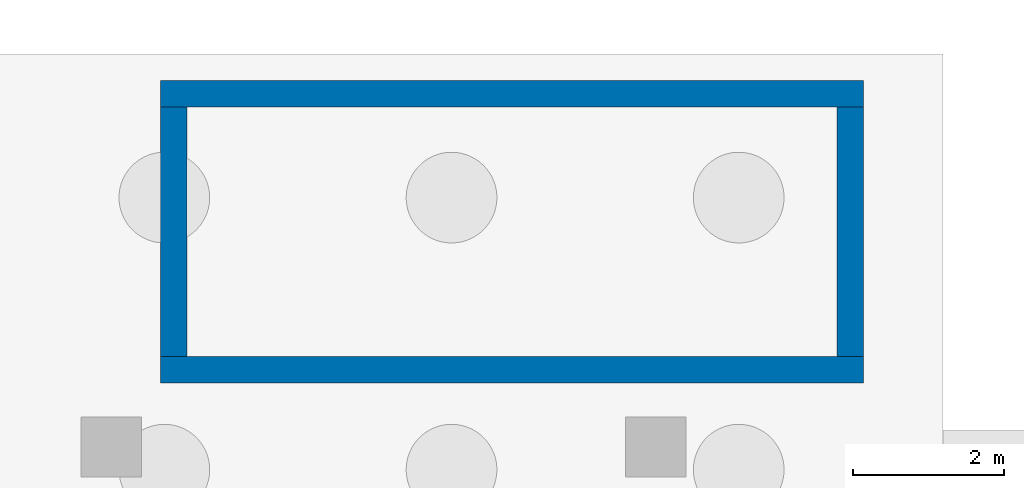
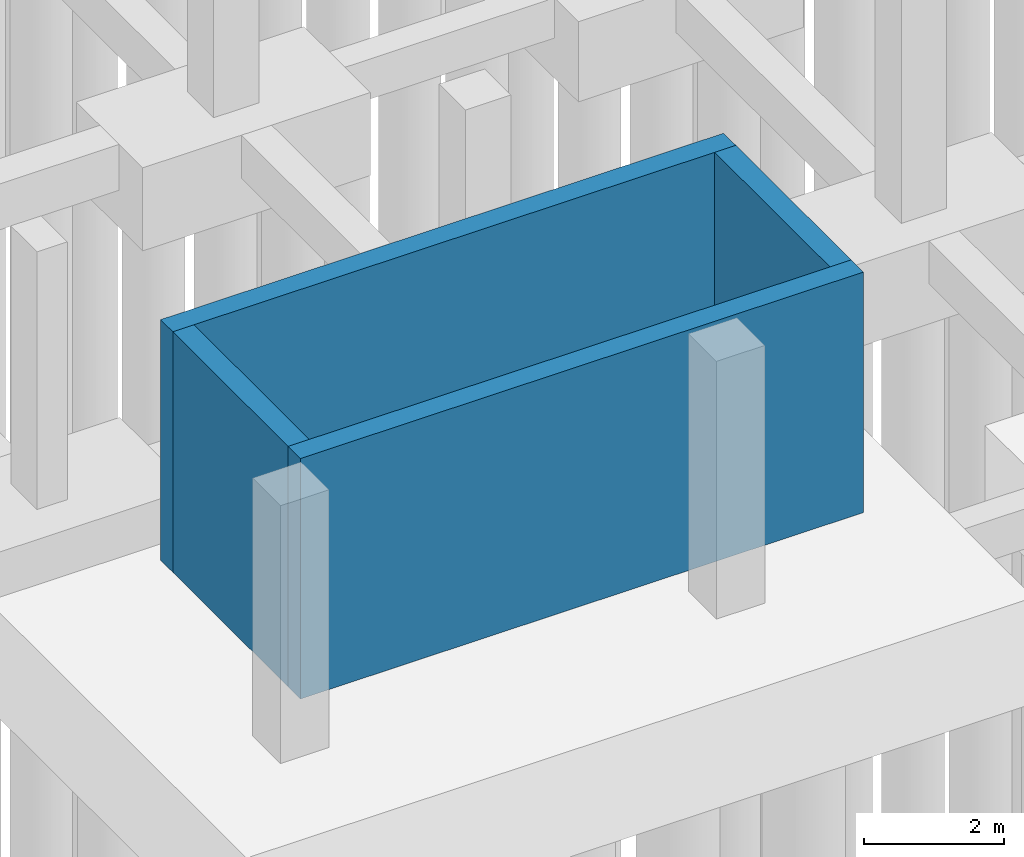
# One storey, part 30 of 36: 4 walls.
"""IFC4 building model written with IfcOpenShell, lengths in metres."""

from ifc_helpers import new_model, si_unit, direction, frame, frame_2d, origin, place, context, subcontext, project, spatial, rectangle, extrude, material, layer, layer_set, type_object, element, save


model = new_model("IFC4")

# Units and contexts
model_context = context("Model", 3, precision=1e-05, world=origin(), true_north=direction((0.0, 1.0)))
body_context = subcontext(model_context, "Body", "Model", "MODEL_VIEW")
ifc_project = project(units=[si_unit("LENGTHUNIT", "METRE"), si_unit("AREAUNIT", "SQUARE_METRE"), si_unit("VOLUMEUNIT", "CUBIC_METRE"), si_unit("PLANEANGLEUNIT", "RADIAN"), si_unit("MASSUNIT", "GRAM", prefix="KILO")], contexts=[model_context])

# Site, building, storey
site_placement = place(None, origin())
site = spatial("IfcSite", under=ifc_project, at=site_placement, CompositionType="ELEMENT")
building_placement = place(site_placement, origin())
building = spatial("IfcBuilding", under=site, at=building_placement, Name="Kalmorath City Hall", CompositionType="ELEMENT")
storey_placement = place(building_placement, frame((0.0, 0.0, -4.5)))
storey = spatial("IfcBuildingStorey", under=building, at=storey_placement, Name="B1", CompositionType="ELEMENT", Elevation=-4.5)

# Walls
ifc_material = material(Name="Concrete C50/60", Category="concrete")
ifc_layer = layer(ifc_material, 0.35009765625)
ifc_layer_set = layer_set([ifc_layer], Name="Concrete C50/60")
wall_type = type_object("IfcWallType", Name="Concrete core shear wall 350", PredefinedType="SHEAR", material=ifc_layer_set)
for number, where, z_axis, x_axis, name in (
    (1, (115.85009765625, 1.02490234375, 0.0), (0.0, 0.0, 1.0), (1.0, 0.0, 0.0), "B1 C5 stair core shear wall S"),
    (2, (125.14990234375, 4.675048828125, 0.0), (0.0, 0.0, 1.0), (-1.0, 0.0, 0.0), "B1 C5 stair core shear wall N"),
):
    element("IfcWall", number, at=place(storey_placement, frame(where, z_axis=z_axis, x_axis=x_axis)), inside=storey, type_object=wall_type, Name=name, PredefinedType="SHEAR", context=body_context, shape_type="SweptSolid", body=[
        extrude(rectangle(XDim=9.2998046875, YDim=0.35009765625, at=frame_2d((4.64990234375, 0.0))), origin(), (0.0, 0.0, 1.0), 4.199951171875),
    ])
for number, where, z_axis, x_axis, name in (
    (3, (116.02490234375, 4.5, 0.0), (0.0, 0.0, 1.0), (0.0, -1.0, 0.0), "B1 C5 stair core shear wall W"),
    (4, (124.97509765625, 1.199951171875, 0.0), (0.0, 0.0, 1.0), (0.0, 1.0, 0.0), "B1 C5 stair core shear wall E"),
):
    element("IfcWall", number, at=place(storey_placement, frame(where, z_axis=z_axis, x_axis=x_axis)), inside=storey, type_object=wall_type, Name=name, PredefinedType="SHEAR", context=body_context, shape_type="SweptSolid", body=[
        extrude(rectangle(XDim=3.300048828125, YDim=0.35009765625, at=frame_2d((1.64990234375, 0.0))), origin(), (0.0, 0.0, 1.0), 4.199951171875),
    ])

save(model, "model.ifc")
